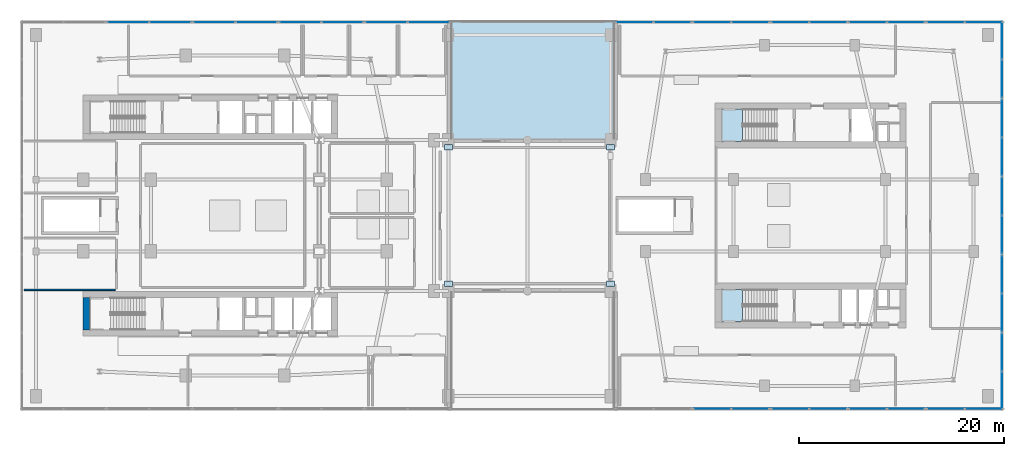
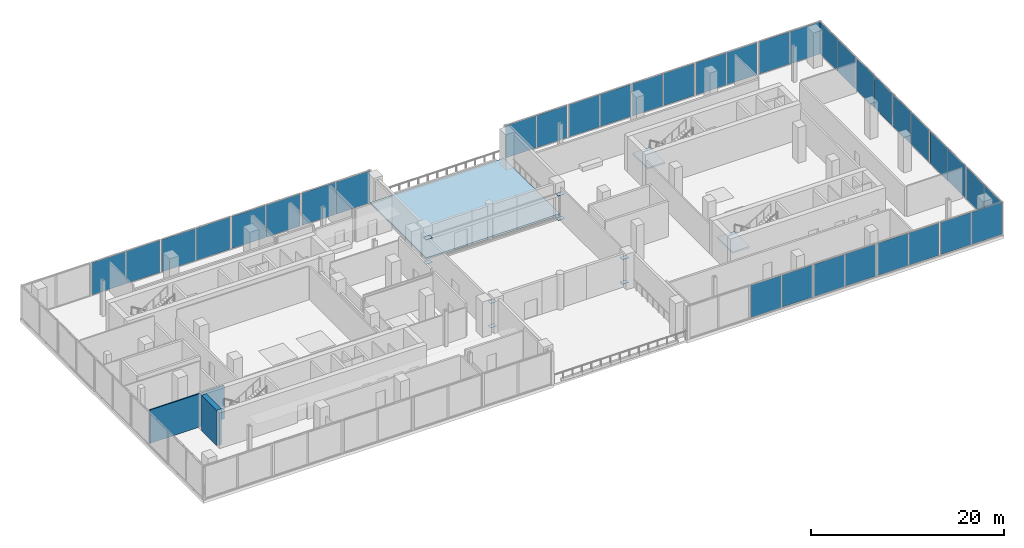
# One storey, part 13 of 21: 44 plates, 3 slabs, 2 walls, 20 elements without a shape of their own.
"""IFC4 building model written with IfcOpenShell, lengths in metres."""

import ifcopenshell
import ifcopenshell.guid

model = None  # the IFC model being written
_history = None  # IfcOwnerHistory: only IFC2X3 demands one
_inside = {}  # id of a spatial element -> (the spatial element, [elements in it])
_under = {}  # id of a project, library or spatial element -> (it, [spatial elements below it])
_declared = {}  # id of a project -> (the project, [libraries it declares])
_typed = {}  # id of a type object -> (the type object, [elements of that type])
_made_of = {}  # id of a material, layer set ... -> (it, [elements and type objects made of it])


def new_model(schema):
    """Start an empty IFC model of exactly this schema.

    Asked for "IFC4X3", IfcOpenShell would pick the latest addendum, in which some entities
    have other attributes; the version numbers below select the first issue.
    IFC2X3 requires an IfcOwnerHistory on every rooted entity: one is made here for all.
    """
    global model, _history
    if schema == "IFC4X3":
        model = ifcopenshell.file(schema_version=(4, 3, 0, 0))
    else:
        model = ifcopenshell.file(schema=schema)
    _inside.clear()
    _under.clear()
    _declared.clear()
    _typed.clear()
    _made_of.clear()
    _history = None
    if model.schema == "IFC2X3":
        org = make("IfcOrganization", Name="unknown")
        user = make(
            "IfcPersonAndOrganization",
            ThePerson=make("IfcPerson", FamilyName="unknown"),
            TheOrganization=org,
        )
        app = make(
            "IfcApplication",
            ApplicationDeveloper=org,
            Version="unknown",
            ApplicationFullName="unknown",
            ApplicationIdentifier="unknown",
        )
        _history = make(
            "IfcOwnerHistory",
            OwningUser=user,
            OwningApplication=app,
            ChangeAction="ADDED",
            CreationDate=0,
        )
    return model


def make(cls, **values):
    """One entity of the class cls with the attributes given. An attribute that is None is left unset."""
    return model.create_entity(
        cls, **{name: value for name, value in values.items() if value is not None}
    )


def rooted(cls, **values):
    """An entity with a GlobalId (a new one), such as an element, a storey or a relation."""
    return make(cls, GlobalId=ifcopenshell.guid.new(), OwnerHistory=_history, **values)


def si_unit(unit_type, name, prefix=None):
    """IfcSIUnit, for example si_unit("LENGTHUNIT", "METRE", prefix="MILLI")."""
    return make("IfcSIUnit", UnitType=unit_type, Prefix=prefix, Name=name)


def derived_unit(unit_type, elements):
    """IfcDerivedUnit: a product of units, each with its exponent."""
    return make(
        "IfcDerivedUnit",
        Elements=[
            make("IfcDerivedUnitElement", Unit=unit, Exponent=power)
            for unit, power in elements
        ],
        UnitType=unit_type,
    )


def assignment(units):
    """IfcUnitAssignment: the units of a project."""
    return None if units is None else make("IfcUnitAssignment", Units=units)


def point(xyz):
    """IfcCartesianPoint."""
    return None if xyz is None else make("IfcCartesianPoint", Coordinates=xyz)


def direction(xyz):
    """IfcDirection."""
    return None if xyz is None else make("IfcDirection", DirectionRatios=xyz)


def frame(location, z_axis=None, x_axis=None):
    """IfcAxis2Placement3D, a coordinate frame: its origin and axes. An axis left out is left unset."""
    return make(
        "IfcAxis2Placement3D",
        Location=point(location),
        Axis=direction(z_axis),
        RefDirection=direction(x_axis),
    )


def frame_2d(location, x_axis=None):
    """IfcAxis2Placement2D, a coordinate frame in the plane: its origin and x axis."""
    return make(
        "IfcAxis2Placement2D", Location=point(location), RefDirection=direction(x_axis)
    )


def origin():
    """The frame at (0, 0, 0) with its axes left unset."""
    return frame((0.0, 0.0, 0.0))


def origin_2d():
    """The frame at (0, 0) in the plane with its x axis left unset."""
    return frame_2d((0.0, 0.0))


def place(relative_to, where):
    """IfcLocalPlacement: puts the frame where relative to a parent placement (None: the world)."""
    return make(
        "IfcLocalPlacement", PlacementRelTo=relative_to, RelativePlacement=where
    )


def context(
    kind, dimensions, precision=None, world=None, true_north=None, identifier=None
):
    """IfcGeometricRepresentationContext, for example the 3D "Model" context."""
    return make(
        "IfcGeometricRepresentationContext",
        ContextIdentifier=identifier,
        ContextType=kind,
        CoordinateSpaceDimension=dimensions,
        Precision=precision,
        WorldCoordinateSystem=world,
        TrueNorth=true_north,
    )


def subcontext(parent, identifier, kind, view, scale=None):
    """IfcGeometricRepresentationSubContext, for example "Body" below "Model"."""
    return make(
        "IfcGeometricRepresentationSubContext",
        ContextIdentifier=identifier,
        ContextType=kind,
        ParentContext=parent,
        TargetScale=scale,
        TargetView=view,
    )


def project(units=None, contexts=None):
    """IfcProject with its units and contexts."""
    return rooted(
        "IfcProject",
        Name="project",
        RepresentationContexts=contexts,
        UnitsInContext=assignment(units),
    )


def spatial(cls, under=None, at=None, **own):
    """A site, building, storey or space (cls), placed at a placement, below another one or the project."""
    s = rooted(cls, ObjectPlacement=at, **own)
    if under is not None:
        _under.setdefault(under.id(), (under, []))[1].append(s)
    return s


def polyline(points):
    """IfcPolyline through the points."""
    return make("IfcPolyline", Points=[point(p) for p in points])


def profile(cls, at=None, kind="AREA", **sizes):
    """A parametric profile (cls). Its sizes go by their IFC names, for example OverallWidth=200.0."""
    return make(cls, ProfileType=kind, Position=at, **sizes)


def rectangle(**sizes):
    """IfcRectangleProfileDef."""
    return profile("IfcRectangleProfileDef", **sizes)


def outline(outer, holes=None, kind="AREA"):
    """IfcArbitraryClosedProfileDef: a profile drawn as a closed curve; with holes, ...WithVoids."""
    if holes is None:
        return make("IfcArbitraryClosedProfileDef", ProfileType=kind, OuterCurve=outer)
    return make(
        "IfcArbitraryProfileDefWithVoids",
        ProfileType=kind,
        OuterCurve=outer,
        InnerCurves=holes,
    )


def extrude(swept, where, along, depth):
    """IfcExtrudedAreaSolid: the profile swept, set in the frame where, extruded along a direction by depth."""
    return make(
        "IfcExtrudedAreaSolid",
        SweptArea=swept,
        Position=where,
        ExtrudedDirection=direction(along),
        Depth=depth,
    )


def shape(context_of_items, identifier, shape_type, items):
    """IfcShapeRepresentation: the items that make up one representation, for example the "Body"."""
    return make(
        "IfcShapeRepresentation",
        ContextOfItems=context_of_items,
        RepresentationIdentifier=identifier,
        RepresentationType=shape_type,
        Items=items,
    )


def material(Name=None, Category=None):
    """IfcMaterial."""
    return make("IfcMaterial", Name=Name, Category=Category)


def layer(
    of_material, thickness, ventilated=None, Name=None, Category=None, Priority=None
):
    """IfcMaterialLayer: one layer of a wall or slab, of a material (None: an air gap)."""
    return make(
        "IfcMaterialLayer",
        Material=of_material,
        LayerThickness=thickness,
        IsVentilated=ventilated,
        Name=Name,
        Category=Category,
        Priority=Priority,
    )


def layer_set(layers, Name=None):
    """IfcMaterialLayerSet."""
    return make("IfcMaterialLayerSet", MaterialLayers=layers, LayerSetName=Name)


def made_of(thing, what):
    """Note that an element or type object is made of a material, layer set ...; save() writes the relation."""
    if what is not None:
        _made_of.setdefault(what.id(), (what, []))[1].append(thing)
    return thing


def type_object(cls, material=None, **own):
    """A type object (cls), such as IfcWallType, which elements share."""
    return made_of(rooted(cls, **own), material)


def element(
    cls,
    number,
    at=None,
    inside=None,
    cuts=None,
    type_object=None,
    material=None,
    context=None,
    identifier="Body",
    shape_type=None,
    held_by="IfcProductDefinitionShape",
    body=None,
    shapes=None,
    **own,
):
    """One element of the class cls, such as IfcWall. Its Tag is "e" and its number.

    at: its placement. inside: the storey or other place that contains it. cuts: it is an
    opening in that element (IfcRelVoidsElement). A single representation is given by context,
    identifier, shape_type and body (its items); several are given by shapes. held_by: the class
    of the entity that holds the representations. save() writes the other relations.
    """
    e = rooted(cls, Tag="e%d" % number, ObjectPlacement=at, **own)
    if body is not None:
        shapes = [shape(context, identifier, shape_type, body)]
    if shapes is not None:
        e.Representation = make(held_by, Representations=shapes)
    if inside is not None:
        _inside.setdefault(inside.id(), (inside, []))[1].append(e)
    if cuts is not None:
        rooted(
            "IfcRelVoidsElement", RelatingBuildingElement=cuts, RelatedOpeningElement=e
        )
    if type_object is not None:
        _typed.setdefault(type_object.id(), (type_object, []))[1].append(e)
    return made_of(e, material)


def aggregate(whole, parts):
    """IfcRelAggregates: a whole, such as a stair, and the parts it consists of."""
    return rooted("IfcRelAggregates", RelatingObject=whole, RelatedObjects=parts)


def save(model, path):
    """Write the relations noted so far, then the file.

    IfcRelAggregates (storeys below a building ...), IfcRelContainedInSpatialStructure (elements
    in a storey), IfcRelDefinesByType, IfcRelAssociatesMaterial and IfcRelDeclares: one each for
    every whole, place, type object, material and project.
    """
    for whole, parts in _under.values():
        aggregate(whole, parts)
    for where, things in _inside.values():
        rooted(
            "IfcRelContainedInSpatialStructure",
            RelatedElements=things,
            RelatingStructure=where,
        )
    for kind, things in _typed.values():
        rooted("IfcRelDefinesByType", RelatedObjects=things, RelatingType=kind)
    for what, things in _made_of.values():
        rooted("IfcRelAssociatesMaterial", RelatedObjects=things, RelatingMaterial=what)
    for by, libraries in _declared.values():
        rooted("IfcRelDeclares", RelatingContext=by, RelatedDefinitions=libraries)
    model.write(path)


model = new_model("IFC4")

# Units and contexts
model_context = context("Model", 3, precision=1e-05, world=origin(), true_north=direction((0.0, 1.0)))
body_context = subcontext(model_context, "Body", "Model", "MODEL_VIEW")
ifc_project = project(units=[si_unit("LENGTHUNIT", "METRE"), si_unit("AREAUNIT", "SQUARE_METRE"), si_unit("VOLUMEUNIT", "CUBIC_METRE"), si_unit("PLANEANGLEUNIT", "RADIAN"), si_unit("MASSUNIT", "GRAM", prefix="KILO"), derived_unit("THERMALTRANSMITTANCEUNIT", [(si_unit("POWERUNIT", "WATT"), 1), (si_unit("LENGTHUNIT", "METRE"), -2), (si_unit("THERMODYNAMICTEMPERATUREUNIT", "KELVIN"), -1)])], contexts=[model_context])

# Site, building, storey
site_placement = place(None, origin())
site = spatial("IfcSite", under=ifc_project, at=site_placement, CompositionType="ELEMENT")
building_placement = place(site_placement, origin())
building = spatial("IfcBuilding", under=site, at=building_placement, Name="Kivonza Crest Hotel", CompositionType="ELEMENT")
storey_placement = place(building_placement, frame((0.0, 0.0, 19.5)))
storey = spatial("IfcBuildingStorey", under=building, at=storey_placement, Name="L04", CompositionType="ELEMENT", Elevation=19.5)

# Curtain wall, plates
ifc_material_1 = material(Name="Anodised bronze aluminium and low-E double glazing", Category="aluminium")
ifc_layer_1 = layer(ifc_material_1, 0.199951171875)
ifc_layer_set_1 = layer_set([ifc_layer_1], Name="Anodised bronze aluminium and low-E double glazing")
curtain_wall_type = type_object("IfcCurtainWallType", Name="CW-SYS-6", PredefinedType="NOTDEFINED", material=ifc_layer_set_1)
curtain_wall_1_placement = place(storey_placement, origin())
curtain_wall_1 = element("IfcCurtainWall", 1, at=curtain_wall_1_placement, inside=storey, type_object=curtain_wall_type, Name="L04 unitised curtain wall CW-POD-L04-12", PredefinedType="NOTDEFINED")
ifc_material_2 = material(Name="Acoustic triple-laminated low-E glazing", Category="glass")
ifc_layer_2 = layer(ifc_material_2, 0.035888671875)
ifc_layer_set_2 = layer_set([ifc_layer_2], Name="Acoustic triple-laminated low-E glazing")
plate_type_1 = type_object("IfcPlateType", Name="CW-PNL-36", PredefinedType="CURTAIN_PANEL", material=ifc_layer_set_2)
plate_1_placement = place(storey_placement, frame((67.518798828125, 6.159912109375, 0.0751953125), z_axis=(0.0, 0.0, 1.0), x_axis=(1.0, 0.0, 0.0)))
plate_1 = element("IfcPlate", 2, at=plate_1_placement, type_object=plate_type_1, Name="CW-6 panel 1.1", PredefinedType="CURTAIN_PANEL", context=body_context, shape_type="SweptSolid", body=[
    extrude(rectangle(XDim=3.639404296875, YDim=0.035888671875, at=origin_2d()), origin(), (0.0, 0.0, 1.0), 4.070068359375),
])
plate_2_placement = place(storey_placement, frame((71.233154296875, 6.159912109375, 0.0751953125), z_axis=(0.0, 0.0, 1.0), x_axis=(1.0, 0.0, 0.0)))
plate_2 = element("IfcPlate", 3, at=plate_2_placement, type_object=plate_type_1, Name="CW-6 panel 2.1", PredefinedType="CURTAIN_PANEL", context=body_context, shape_type="SweptSolid", body=[
    extrude(rectangle(XDim=3.639404296875, YDim=0.035888671875, at=origin_2d()), origin(), (0.0, 0.0, 1.0), 4.070068359375),
])
aggregate(curtain_wall_1, [plate_1, plate_2])

curtain_wall_2_placement = place(storey_placement, origin())
curtain_wall_2 = element("IfcCurtainWall", 4, at=curtain_wall_2_placement, inside=storey, type_object=curtain_wall_type, Name="L04 unitised curtain wall CW-POD-L04-13", PredefinedType="NOTDEFINED")
plate_3_placement = place(storey_placement, frame((75.102783203125, 6.159912109375, 0.0751953125), z_axis=(0.0, 0.0, 1.0), x_axis=(1.0, 0.0, 0.0)))
plate_3 = element("IfcPlate", 5, at=plate_3_placement, type_object=plate_type_1, Name="CW-6 panel 1.1", PredefinedType="CURTAIN_PANEL", context=body_context, shape_type="SweptSolid", body=[
    extrude(rectangle(XDim=3.639404296875, YDim=0.035888671875, at=origin_2d()), origin(), (0.0, 0.0, 1.0), 4.070068359375),
])
plate_4_placement = place(storey_placement, frame((78.817138671875, 6.159912109375, 0.0751953125), z_axis=(0.0, 0.0, 1.0), x_axis=(1.0, 0.0, 0.0)))
plate_4 = element("IfcPlate", 6, at=plate_4_placement, type_object=plate_type_1, Name="CW-6 panel 2.1", PredefinedType="CURTAIN_PANEL", context=body_context, shape_type="SweptSolid", body=[
    extrude(rectangle(XDim=3.639404296875, YDim=0.035888671875, at=origin_2d()), origin(), (0.0, 0.0, 1.0), 4.070068359375),
])
aggregate(curtain_wall_2, [plate_3, plate_4])

curtain_wall_3_placement = place(storey_placement, origin())
curtain_wall_3 = element("IfcCurtainWall", 7, at=curtain_wall_3_placement, inside=storey, type_object=curtain_wall_type, Name="L04 unitised curtain wall CW-POD-L04-14", PredefinedType="NOTDEFINED")
plate_5_placement = place(storey_placement, frame((82.686767578125, 6.159912109375, 0.0751953125), z_axis=(0.0, 0.0, 1.0), x_axis=(1.0, 0.0, 0.0)))
plate_5 = element("IfcPlate", 8, at=plate_5_placement, type_object=plate_type_1, Name="CW-6 panel 1.1", PredefinedType="CURTAIN_PANEL", context=body_context, shape_type="SweptSolid", body=[
    extrude(rectangle(XDim=3.639404296875, YDim=0.035888671875, at=origin_2d()), origin(), (0.0, 0.0, 1.0), 4.070068359375),
])
plate_6_placement = place(storey_placement, frame((86.4013671875, 6.159912109375, 0.0751953125), z_axis=(0.0, 0.0, 1.0), x_axis=(1.0, 0.0, 0.0)))
plate_6 = element("IfcPlate", 9, at=plate_6_placement, type_object=plate_type_1, Name="CW-6 panel 2.1", PredefinedType="CURTAIN_PANEL", context=body_context, shape_type="SweptSolid", body=[
    extrude(rectangle(XDim=3.639404296875, YDim=0.035888671875, at=origin_2d()), origin(), (0.0, 0.0, 1.0), 4.070068359375),
])
aggregate(curtain_wall_3, [plate_5, plate_6])

curtain_wall_4_placement = place(storey_placement, origin())
curtain_wall_4 = element("IfcCurtainWall", 10, at=curtain_wall_4_placement, inside=storey, type_object=curtain_wall_type, Name="L04 unitised curtain wall CW-POD-L04-15", PredefinedType="NOTDEFINED")
plate_7_placement = place(storey_placement, frame((90.270751953125, 6.159912109375, 0.0751953125), z_axis=(0.0, 0.0, 1.0), x_axis=(1.0, 0.0, 0.0)))
plate_7 = element("IfcPlate", 11, at=plate_7_placement, type_object=plate_type_1, Name="CW-6 panel 1.1", PredefinedType="CURTAIN_PANEL", context=body_context, shape_type="SweptSolid", body=[
    extrude(rectangle(XDim=3.639404296875, YDim=0.035888671875, at=origin_2d()), origin(), (0.0, 0.0, 1.0), 4.070068359375),
])
plate_8_placement = place(storey_placement, frame((93.9853515625, 6.159912109375, 0.0751953125), z_axis=(0.0, 0.0, 1.0), x_axis=(1.0, 0.0, 0.0)))
plate_8 = element("IfcPlate", 12, at=plate_8_placement, type_object=plate_type_1, Name="CW-6 panel 2.1", PredefinedType="CURTAIN_PANEL", context=body_context, shape_type="SweptSolid", body=[
    extrude(rectangle(XDim=3.639404296875, YDim=0.035888671875, at=origin_2d()), origin(), (0.0, 0.0, 1.0), 4.070068359375),
])
aggregate(curtain_wall_4, [plate_7, plate_8])

curtain_wall_5_placement = place(storey_placement, origin())
curtain_wall_5 = element("IfcCurtainWall", 13, at=curtain_wall_5_placement, inside=storey, type_object=curtain_wall_type, Name="L04 unitised curtain wall CW-POD-L04-16", PredefinedType="NOTDEFINED")
plate_9_placement = place(storey_placement, frame((95.760009765625, 7.938720703125, 0.0751953125), z_axis=(0.0, 0.0, 1.0), x_axis=(0.0, 1.0, 0.0)))
plate_9 = element("IfcPlate", 14, at=plate_9_placement, type_object=plate_type_1, Name="CW-6 panel 1.1", PredefinedType="CURTAIN_PANEL", context=body_context, shape_type="SweptSolid", body=[
    extrude(rectangle(XDim=3.6474609375, YDim=0.035888671875, at=origin_2d()), origin(), (0.0, 0.0, 1.0), 4.070068359375),
])
plate_10_placement = place(storey_placement, frame((95.760009765625, 11.6611328125, 0.0751953125), z_axis=(0.0, 0.0, 1.0), x_axis=(0.0, 1.0, 0.0)))
plate_10 = element("IfcPlate", 15, at=plate_10_placement, type_object=plate_type_1, Name="CW-6 panel 2.1", PredefinedType="CURTAIN_PANEL", context=body_context, shape_type="SweptSolid", body=[
    extrude(rectangle(XDim=3.6474609375, YDim=0.035888671875, at=origin_2d()), origin(), (0.0, 0.0, 1.0), 4.070068359375),
])
aggregate(curtain_wall_5, [plate_9, plate_10])

curtain_wall_6_placement = place(storey_placement, origin())
curtain_wall_6 = element("IfcCurtainWall", 16, at=curtain_wall_6_placement, inside=storey, type_object=curtain_wall_type, Name="L04 unitised curtain wall CW-POD-L04-17", PredefinedType="NOTDEFINED")
plate_11_placement = place(storey_placement, frame((95.760009765625, 15.538818359375, 0.0751953125), z_axis=(0.0, 0.0, 1.0), x_axis=(0.0, 1.0, 0.0)))
plate_11 = element("IfcPlate", 17, at=plate_11_placement, type_object=plate_type_1, Name="CW-6 panel 1.1", PredefinedType="CURTAIN_PANEL", context=body_context, shape_type="SweptSolid", body=[
    extrude(rectangle(XDim=3.6474609375, YDim=0.035888671875, at=origin_2d()), origin(), (0.0, 0.0, 1.0), 4.070068359375),
])
plate_12_placement = place(storey_placement, frame((95.760009765625, 19.26123046875, 0.0751953125), z_axis=(0.0, 0.0, 1.0), x_axis=(0.0, 1.0, 0.0)))
plate_12 = element("IfcPlate", 18, at=plate_12_placement, type_object=plate_type_1, Name="CW-6 panel 2.1", PredefinedType="CURTAIN_PANEL", context=body_context, shape_type="SweptSolid", body=[
    extrude(rectangle(XDim=3.6474609375, YDim=0.035888671875, at=origin_2d()), origin(), (0.0, 0.0, 1.0), 4.070068359375),
])
aggregate(curtain_wall_6, [plate_11, plate_12])

curtain_wall_7_placement = place(storey_placement, origin())
curtain_wall_7 = element("IfcCurtainWall", 19, at=curtain_wall_7_placement, inside=storey, type_object=curtain_wall_type, Name="L04 unitised curtain wall CW-POD-L04-18", PredefinedType="NOTDEFINED")
plate_13_placement = place(storey_placement, frame((95.760009765625, 23.138671875, 0.0751953125), z_axis=(0.0, 0.0, 1.0), x_axis=(0.0, 1.0, 0.0)))
plate_13 = element("IfcPlate", 20, at=plate_13_placement, type_object=plate_type_1, Name="CW-6 panel 1.1", PredefinedType="CURTAIN_PANEL", context=body_context, shape_type="SweptSolid", body=[
    extrude(rectangle(XDim=3.6474609375, YDim=0.035888671875, at=origin_2d()), origin(), (0.0, 0.0, 1.0), 4.070068359375),
])
plate_14_placement = place(storey_placement, frame((95.760009765625, 26.861328125, 0.0751953125), z_axis=(0.0, 0.0, 1.0), x_axis=(0.0, 1.0, 0.0)))
plate_14 = element("IfcPlate", 21, at=plate_14_placement, type_object=plate_type_1, Name="CW-6 panel 2.1", PredefinedType="CURTAIN_PANEL", context=body_context, shape_type="SweptSolid", body=[
    extrude(rectangle(XDim=3.6474609375, YDim=0.035888671875, at=origin_2d()), origin(), (0.0, 0.0, 1.0), 4.070068359375),
])
aggregate(curtain_wall_7, [plate_13, plate_14])

curtain_wall_8_placement = place(storey_placement, origin())
curtain_wall_8 = element("IfcCurtainWall", 22, at=curtain_wall_8_placement, inside=storey, type_object=curtain_wall_type, Name="L04 unitised curtain wall CW-POD-L04-19", PredefinedType="NOTDEFINED")
plate_15_placement = place(storey_placement, frame((95.760009765625, 30.73876953125, 0.0751953125), z_axis=(0.0, 0.0, 1.0), x_axis=(0.0, 1.0, 0.0)))
plate_15 = element("IfcPlate", 23, at=plate_15_placement, type_object=plate_type_1, Name="CW-6 panel 1.1", PredefinedType="CURTAIN_PANEL", context=body_context, shape_type="SweptSolid", body=[
    extrude(rectangle(XDim=3.6474609375, YDim=0.035888671875, at=origin_2d()), origin(), (0.0, 0.0, 1.0), 4.070068359375),
])
plate_16_placement = place(storey_placement, frame((95.760009765625, 34.461181640625, 0.0751953125), z_axis=(0.0, 0.0, 1.0), x_axis=(0.0, 1.0, 0.0)))
plate_16 = element("IfcPlate", 24, at=plate_16_placement, type_object=plate_type_1, Name="CW-6 panel 2.1", PredefinedType="CURTAIN_PANEL", context=body_context, shape_type="SweptSolid", body=[
    extrude(rectangle(XDim=3.6474609375, YDim=0.035888671875, at=origin_2d()), origin(), (0.0, 0.0, 1.0), 4.070068359375),
])
aggregate(curtain_wall_8, [plate_15, plate_16])

curtain_wall_9_placement = place(storey_placement, origin())
curtain_wall_9 = element("IfcCurtainWall", 25, at=curtain_wall_9_placement, inside=storey, type_object=curtain_wall_type, Name="L04 unitised curtain wall CW-POD-L04-20", PredefinedType="NOTDEFINED")
plate_17_placement = place(storey_placement, frame((95.760009765625, 38.3388671875, 0.0751953125), z_axis=(0.0, 0.0, 1.0), x_axis=(0.0, 1.0, 0.0)))
plate_17 = element("IfcPlate", 26, at=plate_17_placement, type_object=plate_type_1, Name="CW-6 panel 1.1", PredefinedType="CURTAIN_PANEL", context=body_context, shape_type="SweptSolid", body=[
    extrude(rectangle(XDim=3.6474609375, YDim=0.035888671875, at=origin_2d()), origin(), (0.0, 0.0, 1.0), 4.070068359375),
])
plate_18_placement = place(storey_placement, frame((95.760009765625, 42.061279296875, 0.0751953125), z_axis=(0.0, 0.0, 1.0), x_axis=(0.0, 1.0, 0.0)))
plate_18 = element("IfcPlate", 27, at=plate_18_placement, type_object=plate_type_1, Name="CW-6 panel 2.1", PredefinedType="CURTAIN_PANEL", context=body_context, shape_type="SweptSolid", body=[
    extrude(rectangle(XDim=3.6474609375, YDim=0.035888671875, at=origin_2d()), origin(), (0.0, 0.0, 1.0), 4.070068359375),
])
aggregate(curtain_wall_9, [plate_17, plate_18])

curtain_wall_10_placement = place(storey_placement, origin())
curtain_wall_10 = element("IfcCurtainWall", 28, at=curtain_wall_10_placement, inside=storey, type_object=curtain_wall_type, Name="L04 unitised curtain wall CW-POD-L04-21", PredefinedType="NOTDEFINED")
plate_19_placement = place(storey_placement, frame((93.9853515625, 43.840087890625, 0.0751953125), z_axis=(0.0, 0.0, 1.0), x_axis=(-1.0, 0.0, 0.0)))
plate_19 = element("IfcPlate", 29, at=plate_19_placement, type_object=plate_type_1, Name="CW-6 panel 1.1", PredefinedType="CURTAIN_PANEL", context=body_context, shape_type="SweptSolid", body=[
    extrude(rectangle(XDim=3.639404296875, YDim=0.035888671875, at=origin_2d()), origin(), (0.0, 0.0, 1.0), 4.070068359375),
])
plate_20_placement = place(storey_placement, frame((90.270751953125, 43.840087890625, 0.0751953125), z_axis=(0.0, 0.0, 1.0), x_axis=(-1.0, 0.0, 0.0)))
plate_20 = element("IfcPlate", 30, at=plate_20_placement, type_object=plate_type_1, Name="CW-6 panel 2.1", PredefinedType="CURTAIN_PANEL", context=body_context, shape_type="SweptSolid", body=[
    extrude(rectangle(XDim=3.639404296875, YDim=0.035888671875, at=origin_2d()), origin(), (0.0, 0.0, 1.0), 4.070068359375),
])
aggregate(curtain_wall_10, [plate_19, plate_20])

curtain_wall_11_placement = place(storey_placement, origin())
curtain_wall_11 = element("IfcCurtainWall", 31, at=curtain_wall_11_placement, inside=storey, type_object=curtain_wall_type, Name="L04 unitised curtain wall CW-POD-L04-22", PredefinedType="NOTDEFINED")
plate_21_placement = place(storey_placement, frame((86.4013671875, 43.840087890625, 0.0751953125), z_axis=(0.0, 0.0, 1.0), x_axis=(-1.0, 0.0, 0.0)))
plate_21 = element("IfcPlate", 32, at=plate_21_placement, type_object=plate_type_1, Name="CW-6 panel 1.1", PredefinedType="CURTAIN_PANEL", context=body_context, shape_type="SweptSolid", body=[
    extrude(rectangle(XDim=3.639404296875, YDim=0.035888671875, at=origin_2d()), origin(), (0.0, 0.0, 1.0), 4.070068359375),
])
plate_22_placement = place(storey_placement, frame((82.686767578125, 43.840087890625, 0.0751953125), z_axis=(0.0, 0.0, 1.0), x_axis=(-1.0, 0.0, 0.0)))
plate_22 = element("IfcPlate", 33, at=plate_22_placement, type_object=plate_type_1, Name="CW-6 panel 2.1", PredefinedType="CURTAIN_PANEL", context=body_context, shape_type="SweptSolid", body=[
    extrude(rectangle(XDim=3.639404296875, YDim=0.035888671875, at=origin_2d()), origin(), (0.0, 0.0, 1.0), 4.070068359375),
])
aggregate(curtain_wall_11, [plate_21, plate_22])

curtain_wall_12_placement = place(storey_placement, origin())
curtain_wall_12 = element("IfcCurtainWall", 34, at=curtain_wall_12_placement, inside=storey, type_object=curtain_wall_type, Name="L04 unitised curtain wall CW-POD-L04-23", PredefinedType="NOTDEFINED")
plate_23_placement = place(storey_placement, frame((78.817138671875, 43.840087890625, 0.0751953125), z_axis=(0.0, 0.0, 1.0), x_axis=(-1.0, 0.0, 0.0)))
plate_23 = element("IfcPlate", 35, at=plate_23_placement, type_object=plate_type_1, Name="CW-6 panel 1.1", PredefinedType="CURTAIN_PANEL", context=body_context, shape_type="SweptSolid", body=[
    extrude(rectangle(XDim=3.639404296875, YDim=0.035888671875, at=origin_2d()), origin(), (0.0, 0.0, 1.0), 4.070068359375),
])
plate_24_placement = place(storey_placement, frame((75.102783203125, 43.840087890625, 0.0751953125), z_axis=(0.0, 0.0, 1.0), x_axis=(-1.0, 0.0, 0.0)))
plate_24 = element("IfcPlate", 36, at=plate_24_placement, type_object=plate_type_1, Name="CW-6 panel 2.1", PredefinedType="CURTAIN_PANEL", context=body_context, shape_type="SweptSolid", body=[
    extrude(rectangle(XDim=3.639404296875, YDim=0.035888671875, at=origin_2d()), origin(), (0.0, 0.0, 1.0), 4.070068359375),
])
aggregate(curtain_wall_12, [plate_23, plate_24])

curtain_wall_13_placement = place(storey_placement, origin())
curtain_wall_13 = element("IfcCurtainWall", 37, at=curtain_wall_13_placement, inside=storey, type_object=curtain_wall_type, Name="L04 unitised curtain wall CW-POD-L04-24", PredefinedType="NOTDEFINED")
plate_25_placement = place(storey_placement, frame((71.233154296875, 43.840087890625, 0.0751953125), z_axis=(0.0, 0.0, 1.0), x_axis=(-1.0, 0.0, 0.0)))
plate_25 = element("IfcPlate", 38, at=plate_25_placement, type_object=plate_type_1, Name="CW-6 panel 1.1", PredefinedType="CURTAIN_PANEL", context=body_context, shape_type="SweptSolid", body=[
    extrude(rectangle(XDim=3.639404296875, YDim=0.035888671875, at=origin_2d()), origin(), (0.0, 0.0, 1.0), 4.070068359375),
])
plate_26_placement = place(storey_placement, frame((67.518798828125, 43.840087890625, 0.0751953125), z_axis=(0.0, 0.0, 1.0), x_axis=(-1.0, 0.0, 0.0)))
plate_26 = element("IfcPlate", 39, at=plate_26_placement, type_object=plate_type_1, Name="CW-6 panel 2.1", PredefinedType="CURTAIN_PANEL", context=body_context, shape_type="SweptSolid", body=[
    extrude(rectangle(XDim=3.639404296875, YDim=0.035888671875, at=origin_2d()), origin(), (0.0, 0.0, 1.0), 4.070068359375),
])
aggregate(curtain_wall_13, [plate_25, plate_26])

curtain_wall_14_placement = place(storey_placement, origin())
curtain_wall_14 = element("IfcCurtainWall", 40, at=curtain_wall_14_placement, inside=storey, type_object=curtain_wall_type, Name="L04 unitised curtain wall CW-POD-L04-25", PredefinedType="NOTDEFINED")
plate_27_placement = place(storey_placement, frame((63.649169921875, 43.840087890625, 0.0751953125), z_axis=(0.0, 0.0, 1.0), x_axis=(-1.0, 0.0, 0.0)))
plate_27 = element("IfcPlate", 41, at=plate_27_placement, type_object=plate_type_1, Name="CW-6 panel 1.1", PredefinedType="CURTAIN_PANEL", context=body_context, shape_type="SweptSolid", body=[
    extrude(rectangle(XDim=3.639404296875, YDim=0.035888671875, at=origin_2d()), origin(), (0.0, 0.0, 1.0), 4.070068359375),
])
plate_28_placement = place(storey_placement, frame((59.934814453125, 43.840087890625, 0.0751953125), z_axis=(0.0, 0.0, 1.0), x_axis=(-1.0, 0.0, 0.0)))
plate_28 = element("IfcPlate", 42, at=plate_28_placement, type_object=plate_type_1, Name="CW-6 panel 2.1", PredefinedType="CURTAIN_PANEL", context=body_context, shape_type="SweptSolid", body=[
    extrude(rectangle(XDim=3.639404296875, YDim=0.035888671875, at=origin_2d()), origin(), (0.0, 0.0, 1.0), 4.070068359375),
])
aggregate(curtain_wall_14, [plate_27, plate_28])

curtain_wall_15_placement = place(storey_placement, origin())
curtain_wall_15 = element("IfcCurtainWall", 43, at=curtain_wall_15_placement, inside=storey, type_object=curtain_wall_type, Name="L04 unitised curtain wall CW-POD-L04-31", PredefinedType="NOTDEFINED")
plate_29_placement = place(storey_placement, frame((39.865234375, 43.840087890625, 0.0751953125), z_axis=(0.0, 0.0, 1.0), x_axis=(-1.0, 0.0, 0.0)))
plate_29 = element("IfcPlate", 44, at=plate_29_placement, type_object=plate_type_1, Name="CW-6 panel 1.1", PredefinedType="CURTAIN_PANEL", context=body_context, shape_type="SweptSolid", body=[
    extrude(rectangle(XDim=4.03955078125, YDim=0.035888671875, at=origin_2d()), origin(), (0.0, 0.0, 1.0), 4.070068359375),
])
plate_30_placement = place(storey_placement, frame((35.750732421875, 43.840087890625, 0.0751953125), z_axis=(0.0, 0.0, 1.0), x_axis=(-1.0, 0.0, 0.0)))
plate_30 = element("IfcPlate", 45, at=plate_30_placement, type_object=plate_type_1, Name="CW-6 panel 2.1", PredefinedType="CURTAIN_PANEL", context=body_context, shape_type="SweptSolid", body=[
    extrude(rectangle(XDim=4.03955078125, YDim=0.035888671875, at=origin_2d()), origin(), (0.0, 0.0, 1.0), 4.070068359375),
])
aggregate(curtain_wall_15, [plate_29, plate_30])

curtain_wall_16_placement = place(storey_placement, origin())
curtain_wall_16 = element("IfcCurtainWall", 46, at=curtain_wall_16_placement, inside=storey, type_object=curtain_wall_type, Name="L04 unitised curtain wall CW-POD-L04-32", PredefinedType="NOTDEFINED")
plate_31_placement = place(storey_placement, frame((31.481201171875, 43.840087890625, 0.0751953125), z_axis=(0.0, 0.0, 1.0), x_axis=(-1.0, 0.0, 0.0)))
plate_31 = element("IfcPlate", 47, at=plate_31_placement, type_object=plate_type_1, Name="CW-6 panel 1.1", PredefinedType="CURTAIN_PANEL", context=body_context, shape_type="SweptSolid", body=[
    extrude(rectangle(XDim=4.03955078125, YDim=0.035888671875, at=origin_2d()), origin(), (0.0, 0.0, 1.0), 4.070068359375),
])
plate_32_placement = place(storey_placement, frame((27.36669921875, 43.840087890625, 0.0751953125), z_axis=(0.0, 0.0, 1.0), x_axis=(-1.0, 0.0, 0.0)))
plate_32 = element("IfcPlate", 48, at=plate_32_placement, type_object=plate_type_1, Name="CW-6 panel 2.1", PredefinedType="CURTAIN_PANEL", context=body_context, shape_type="SweptSolid", body=[
    extrude(rectangle(XDim=4.03955078125, YDim=0.035888671875, at=origin_2d()), origin(), (0.0, 0.0, 1.0), 4.070068359375),
])
aggregate(curtain_wall_16, [plate_31, plate_32])

curtain_wall_17_placement = place(storey_placement, origin())
curtain_wall_17 = element("IfcCurtainWall", 49, at=curtain_wall_17_placement, inside=storey, type_object=curtain_wall_type, Name="L04 unitised curtain wall CW-POD-L04-33", PredefinedType="NOTDEFINED")
plate_33_placement = place(storey_placement, frame((23.09716796875, 43.840087890625, 0.0751953125), z_axis=(0.0, 0.0, 1.0), x_axis=(-1.0, 0.0, 0.0)))
plate_33 = element("IfcPlate", 50, at=plate_33_placement, type_object=plate_type_1, Name="CW-6 panel 1.1", PredefinedType="CURTAIN_PANEL", context=body_context, shape_type="SweptSolid", body=[
    extrude(rectangle(XDim=4.03955078125, YDim=0.035888671875, at=origin_2d()), origin(), (0.0, 0.0, 1.0), 4.070068359375),
])
plate_34_placement = place(storey_placement, frame((18.982666015625, 43.840087890625, 0.0751953125), z_axis=(0.0, 0.0, 1.0), x_axis=(-1.0, 0.0, 0.0)))
plate_34 = element("IfcPlate", 51, at=plate_34_placement, type_object=plate_type_1, Name="CW-6 panel 2.1", PredefinedType="CURTAIN_PANEL", context=body_context, shape_type="SweptSolid", body=[
    extrude(rectangle(XDim=4.03955078125, YDim=0.035888671875, at=origin_2d()), origin(), (0.0, 0.0, 1.0), 4.070068359375),
])
aggregate(curtain_wall_17, [plate_33, plate_34])

curtain_wall_18_placement = place(storey_placement, origin())
curtain_wall_18 = element("IfcCurtainWall", 52, at=curtain_wall_18_placement, inside=storey, type_object=curtain_wall_type, Name="L04 unitised curtain wall CW-POD-L04-34", PredefinedType="NOTDEFINED")
plate_35_placement = place(storey_placement, frame((14.713134765625, 43.840087890625, 0.0751953125), z_axis=(0.0, 0.0, 1.0), x_axis=(-1.0, 0.0, 0.0)))
plate_35 = element("IfcPlate", 53, at=plate_35_placement, type_object=plate_type_1, Name="CW-6 panel 1.1", PredefinedType="CURTAIN_PANEL", context=body_context, shape_type="SweptSolid", body=[
    extrude(rectangle(XDim=4.03955078125, YDim=0.035888671875, at=origin_2d()), origin(), (0.0, 0.0, 1.0), 4.070068359375),
])
plate_36_placement = place(storey_placement, frame((10.5986328125, 43.840087890625, 0.0751953125), z_axis=(0.0, 0.0, 1.0), x_axis=(-1.0, 0.0, 0.0)))
plate_36 = element("IfcPlate", 54, at=plate_36_placement, type_object=plate_type_1, Name="CW-6 panel 2.1", PredefinedType="CURTAIN_PANEL", context=body_context, shape_type="SweptSolid", body=[
    extrude(rectangle(XDim=4.03955078125, YDim=0.035888671875, at=origin_2d()), origin(), (0.0, 0.0, 1.0), 4.070068359375),
])
aggregate(curtain_wall_18, [plate_35, plate_36])

# Plates
ifc_material_3 = material(Name="Steel S355", Category="steel")
ifc_layer_3 = layer(ifc_material_3, 0.030029296875)
ifc_layer_set_3 = layer_set([ifc_layer_3], Name="Steel S355")
plate_type_2 = type_object("IfcPlateType", Name="PL-NODE-BR1", PredefinedType="SHEET", material=ifc_layer_set_3)
for number, where, z_axis, x_axis, name in (
    (55, (41.800048828125, 18.35009765625, -0.01513671875), (0.0, 0.0, 1.0), (1.0, 0.0, 0.0), "ND-BR1 node gusset and end-cap plate L04 149"),
    (56, (41.800048828125, 18.35009765625, 3.0849609375), (0.0, 0.0, 1.0), (1.0, 0.0, 0.0), "ND-BR1 node gusset and end-cap plate L04 150"),
    (57, (57.60009765625, 18.35009765625, -0.01513671875), (0.0, 0.0, 1.0), (1.0, 0.0, 0.0), "ND-BR1 node gusset and end-cap plate L04 151"),
    (58, (57.60009765625, 18.35009765625, 3.0849609375), (0.0, 0.0, 1.0), (1.0, 0.0, 0.0), "ND-BR1 node gusset and end-cap plate L04 152"),
    (59, (41.800048828125, 31.64990234375, -0.01513671875), (0.0, 0.0, 1.0), (1.0, 0.0, 0.0), "ND-BR1 node gusset and end-cap plate L04 153"),
    (60, (41.800048828125, 31.64990234375, 3.0849609375), (0.0, 0.0, 1.0), (1.0, 0.0, 0.0), "ND-BR1 node gusset and end-cap plate L04 154"),
    (61, (57.60009765625, 31.64990234375, -0.01513671875), (0.0, 0.0, 1.0), (1.0, 0.0, 0.0), "ND-BR1 node gusset and end-cap plate L04 155"),
    (62, (57.60009765625, 31.64990234375, 3.0849609375), (0.0, 0.0, 1.0), (1.0, 0.0, 0.0), "ND-BR1 node gusset and end-cap plate L04 156"),
):
    element("IfcPlate", number, at=place(storey_placement, frame(where, z_axis=z_axis, x_axis=x_axis)), inside=storey, type_object=plate_type_2, Name=name, PredefinedType="SHEET", context=body_context, shape_type="SweptSolid", body=[
        extrude(rectangle(XDim=0.760009765625, YDim=0.5400390625, at=origin_2d()), origin(), (0.0, 0.0, 1.0), 0.030029296875),
    ])

# Stair, slab
ifc_material_4 = material(Name="Concrete C40/50", Category="concrete")
stair_type = type_object("IfcStairType", Name="ST-DL-26R", PredefinedType="HALF_TURN_STAIR", material=ifc_material_4)
stair_1_placement = place(storey_placement, origin())
stair_1 = element("IfcStair", 63, at=stair_1_placement, inside=storey, type_object=stair_type, Name="L04 Protected Exit Stair ST-T2-N", PredefinedType="HALF_TURN_STAIR")
ifc_layer_4 = layer(ifc_material_4, 0.199951171875)
ifc_layer_set_4 = layer_set([ifc_layer_4], Name="Concrete C40/50")
slab_type_1 = type_object("IfcSlabType", Name="SL-LAND-200", PredefinedType="LANDING", material=ifc_layer_set_4)
slab_1_placement = place(storey_placement, frame((0.0, 0.0, 2.050048828125)))
slab_1 = element("IfcSlab", 64, at=slab_1_placement, type_object=slab_type_1, Name="ST-T2-N landing 1", PredefinedType="LANDING", context=body_context, shape_type="SweptSolid", body=[
    extrude(outline(polyline([(70.47998046875, 35.360107421875), (68.39990234375, 35.360107421875), (68.39990234375, 32.219970703125), (70.47998046875, 32.219970703125), (70.47998046875, 35.360107421875)])), origin(), (0.0, 0.0, 1.0), 0.199951171875),
])
aggregate(stair_1, [slab_1])

stair_2_placement = place(storey_placement, origin())
stair_2 = element("IfcStair", 65, at=stair_2_placement, inside=storey, type_object=stair_type, Name="L04 Protected Exit Stair ST-T2-S", PredefinedType="HALF_TURN_STAIR")
slab_2_placement = place(storey_placement, frame((0.0, 0.0, 2.050048828125)))
slab_2 = element("IfcSlab", 66, at=slab_2_placement, type_object=slab_type_1, Name="ST-T2-S landing 1", PredefinedType="LANDING", context=body_context, shape_type="SweptSolid", body=[
    extrude(outline(polyline([(70.47998046875, 17.800048828125), (68.39990234375, 17.800048828125), (68.39990234375, 14.659912109375), (70.47998046875, 14.659912109375), (70.47998046875, 17.800048828125)])), origin(), (0.0, 0.0, 1.0), 0.199951171875),
])
aggregate(stair_2, [slab_2])

# Slab
ifc_layer_5 = layer(ifc_material_4, 0.219970703125)
ifc_layer_set_5 = layer_set([ifc_layer_5], Name="Concrete C40/50")
slab_type_2 = type_object("IfcSlabType", Name="SL-TERR-220", PredefinedType="FLOOR", material=ifc_layer_set_5)
slab_3_placement = place(storey_placement, frame((0.0, 0.0, -0.219970703125)))
element("IfcSlab", 67, at=slab_3_placement, inside=storey, type_object=slab_type_2, Name="L04 outdoor planted podium terrace 2", PredefinedType="FLOOR", context=body_context, shape_type="SweptSolid", body=[
    extrude(outline(polyline([(42.0, 32.39990234375), (58.0, 32.39990234375), (58.0, 44.0), (42.0, 44.0), (42.0, 32.39990234375)])), origin(), (0.0, 0.0, 1.0), 0.219970703125),
])

# Walls
ifc_material_5 = material(Name="Concrete C60/75", Category="concrete")
ifc_layer_6 = layer(ifc_material_5, 0.60009765625)
ifc_layer_set_6 = layer_set([ifc_layer_6], Name="Concrete C60/75")
wall_type_1 = type_object("IfcWallType", Name="WL-CORE-600", PredefinedType="SHEAR", material=ifc_layer_set_6)
wall_1_placement = place(storey_placement, frame((6.5, 13.840087890625, 0.0), z_axis=(0.0, 0.0, 1.0), x_axis=(0.0, 1.0, 0.0)))
element("IfcWall", 68, at=wall_1_placement, inside=storey, type_object=wall_type_1, Name="Core wall T1-S West L04", PredefinedType="SHEAR", context=body_context, shape_type="SweptSolid", body=[
    extrude(rectangle(XDim=3.159912109375, YDim=0.60009765625, at=frame_2d((1.580078125, 0.0))), origin(), (0.0, 0.0, 1.0), 4.5),
])
ifc_material_6 = material(Name="Twin-stud acoustic gypsum board partition", Category="gypsum")
ifc_layer_7 = layer(ifc_material_6, 0.14990234375)
ifc_layer_set_7 = layer_set([ifc_layer_7], Name="Twin-stud acoustic gypsum board partition")
wall_type_2 = type_object("IfcWallType", Name="WL-PART-150", PredefinedType="PARTITIONING", material=ifc_layer_set_7)
wall_2_placement = place(storey_placement, frame((0.449951171875, 17.75, 0.0), z_axis=(0.0, 0.0, 1.0), x_axis=(1.0, 0.0, 0.0)))
element("IfcWall", 69, at=wall_2_placement, inside=storey, type_object=wall_type_2, Name="L04 interior partition WP-L04-W-SPA4S-BS", PredefinedType="PARTITIONING", context=body_context, shape_type="SweptSolid", body=[
    extrude(rectangle(XDim=8.900146484375, YDim=0.14990234375, at=frame_2d((4.4501953125, 0.0))), origin(), (0.0, 0.0, 1.0), 4.219970703125),
])

save(model, "model.ifc")
